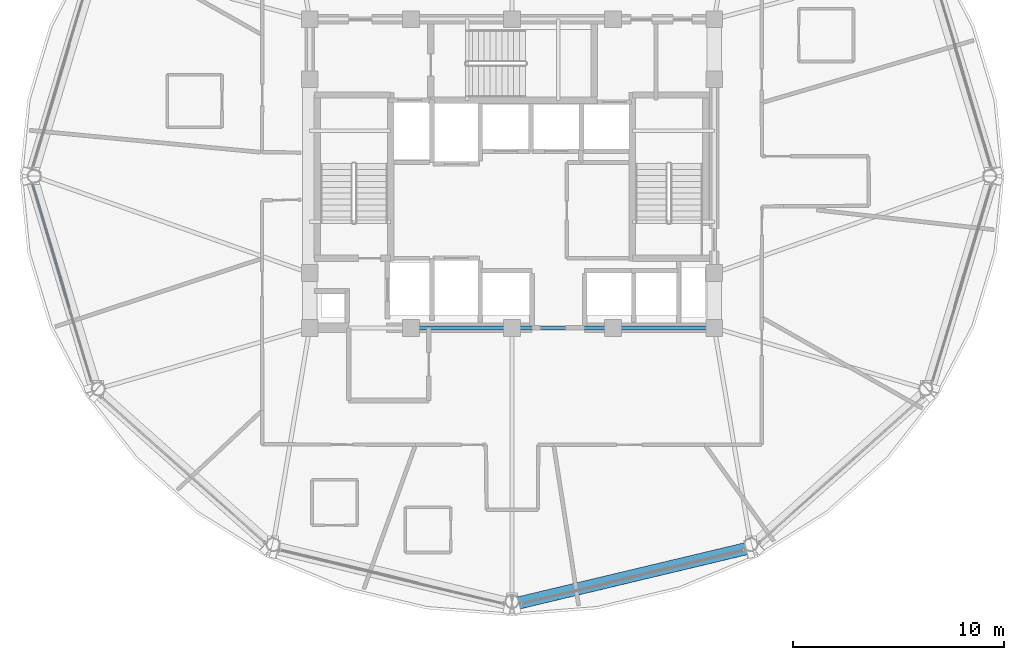
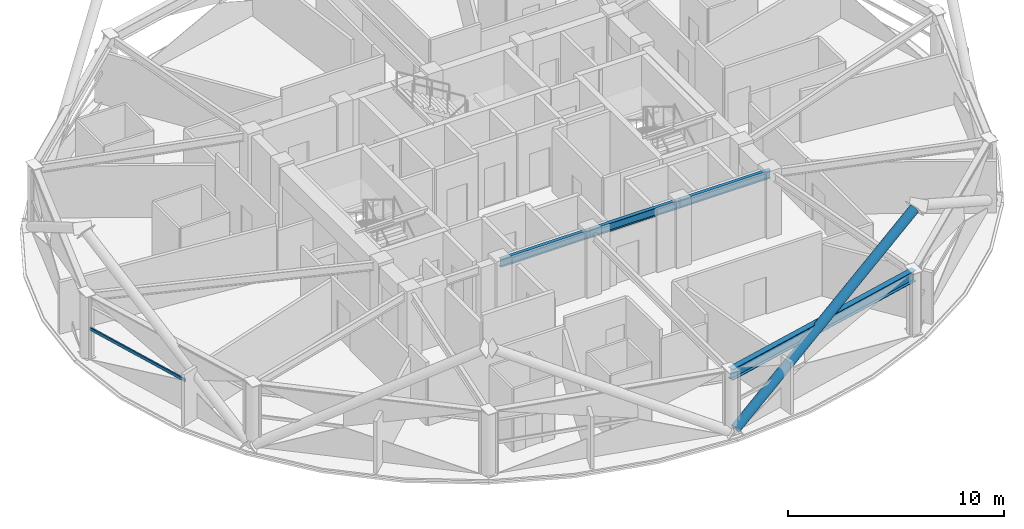
# One storey, part 6 of 30: 4 beams, 2 members, 1 element without a shape of its own.
"""IFC4 building model written with IfcOpenShell, lengths in metres."""

from ifc_helpers import new_model, si_unit, direction, frame, origin, origin_2d, place, context, subcontext, project, spatial, hollow_rectangle, hollow_circle, i_section, extrude, material, layer, layer_set, material_profile, profile_set, type_object, element, aggregate, save


model = new_model("IFC4")

# Units and contexts
model_context = context("Model", 3, precision=1e-05, world=origin(), true_north=direction((0.0, 1.0)))
body_context = subcontext(model_context, "Body", "Model", "MODEL_VIEW")
ifc_project = project(units=[si_unit("LENGTHUNIT", "METRE"), si_unit("AREAUNIT", "SQUARE_METRE"), si_unit("VOLUMEUNIT", "CUBIC_METRE"), si_unit("PLANEANGLEUNIT", "RADIAN"), si_unit("MASSUNIT", "GRAM", prefix="KILO")], contexts=[model_context])

# Site, building, storey
site_placement = place(None, origin())
site = spatial("IfcSite", under=ifc_project, at=site_placement, CompositionType="ELEMENT")
building_placement = place(site_placement, origin())
building = spatial("IfcBuilding", under=site, at=building_placement, Name="Vantalir Tower", CompositionType="ELEMENT")
storey_placement = place(building_placement, frame((0.0, 0.0, 189.89990234375)))
storey = spatial("IfcBuildingStorey", under=building, at=storey_placement, Name="L47", CompositionType="ELEMENT", Elevation=189.89990234375)

# Beams
ifc_material_1 = material(Name="Steel S355", Category="steel")
ifc_material_profile_1 = material_profile(ifc_material_1, i_section(OverallWidth=0.19189453125, OverallDepth=0.462890625, WebThickness=0.010498046875, FlangeThickness=0.017578125, at=origin_2d()), Name="Steel S355")
ifc_profile_set_1 = profile_set([ifc_material_profile_1], Name="Steel S355")
beam_type_1 = type_object("IfcBeamType", Name="BM-RB-457x191", PredefinedType="BEAM", material=ifc_profile_set_1)
for number, where, z_axis, x_axis, name in (
    (1, (26.699951171875, 17.800048828125, 3.338134765625), (1.0, 0.0, 0.0), (0.0, 1.0, 0.0), "L47 Core Coupling Girder 02"),
    (2, (31.5, 17.800048828125, 3.338134765625), (1.0, 0.0, 0.0), (0.0, 1.0, 0.0), "L47 Core Coupling Girder 03"),
    (3, (36.300048828125, 17.800048828125, 3.338134765625), (1.0, 0.0, 0.0), (0.0, 1.0, 0.0), "L47 Core Coupling Girder 04"),
):
    element("IfcBeam", number, at=place(storey_placement, frame(where, z_axis=z_axis, x_axis=x_axis)), inside=storey, type_object=beam_type_1, Name=name, PredefinedType="BEAM", context=body_context, shape_type="SweptSolid", body=[
        extrude(i_section(OverallWidth=0.19189453125, OverallDepth=0.462890625, WebThickness=0.010498046875, FlangeThickness=0.017578125, at=origin_2d()), origin(), (0.0, 0.0, 1.0), 4.800048828125),
    ])
ifc_material_2 = material(Name="Steel S460", Category="steel")
ifc_material_profile_2 = material_profile(ifc_material_2, i_section(OverallWidth=0.306884765625, OverallDepth=0.6201171875, WebThickness=0.01416015625, FlangeThickness=0.023681640625, at=origin_2d()), Name="Steel S460")
ifc_profile_set_2 = profile_set([ifc_material_profile_2], Name="Steel S460")
beam_type_2 = type_object("IfcBeamType", Name="BM-RG-610x305", PredefinedType="USERDEFINED", material=ifc_profile_set_2)
beam_placement = place(storey_placement, frame((31.5, 4.81201171875, 3.260009765625), z_axis=(0.972698236559, 0.232073567206, 0.0), x_axis=(-0.232073567206, 0.972698236559, 0.0)))
element("IfcBeam", 4, at=beam_placement, inside=storey, type_object=beam_type_2, Name="L47 Circumferential Ring Girder 10", ObjectType="GIRDER", PredefinedType="USERDEFINED", context=body_context, shape_type="SweptSolid", body=[
    extrude(i_section(OverallWidth=0.306884765625, OverallDepth=0.6201171875, WebThickness=0.01416015625, FlangeThickness=0.023681640625, at=origin_2d()), origin(), (0.0, 0.0, 1.0), 11.656005859375),
])

# Curtain wall, member
ifc_material_3 = material(Name="Champagne-silver PVDF aluminium and double-silver Low-E glass", Category="aluminium")
ifc_layer = layer(ifc_material_3, 0.2099609375)
ifc_layer_set = layer_set([ifc_layer], Name="Champagne-silver PVDF aluminium and double-silver Low-E glass")
curtain_wall_type = type_object("IfcCurtainWallType", Name="CW-DIAMOND-Z3", PredefinedType="USERDEFINED", material=ifc_layer_set)
curtain_wall_placement = place(storey_placement, origin())
curtain_wall = element("IfcCurtainWall", 5, at=curtain_wall_placement, inside=storey, type_object=curtain_wall_type, Name="L47 Quilted Pyramid-Diamond Curtain Wall S07", ObjectType="UNITISED CURTAIN WALL", PredefinedType="USERDEFINED")
ifc_material_4 = material(Name="Champagne-silver PVDF aluminium 6063-T6", Category="aluminium")
ifc_material_profile_3 = material_profile(ifc_material_4, hollow_rectangle(XDim=0.074951171875, YDim=0.159912109375, WallThickness=0.00390625, at=origin_2d()), Name="Champagne-silver PVDF aluminium 6063-T6")
ifc_profile_set_3 = profile_set([ifc_material_profile_3], Name="Champagne-silver PVDF aluminium 6063-T6")
member_type_1 = type_object("IfcMemberType", Name="CWT-160x75", PredefinedType="USERDEFINED", material=ifc_profile_set_3)
member_1_placement = place(storey_placement, frame((8.751953125, 24.60693359375, 1.78515625), z_axis=(0.284167522647, -0.958774644571, 0.0), x_axis=(0.958774644571, 0.284167522647, 0.0)))
member_1 = element("IfcMember", 6, at=member_1_placement, type_object=member_type_1, Name="CW-L47-S07 Pyramid Fold Ridge Transom", ObjectType="TRANSOM", PredefinedType="USERDEFINED", context=body_context, shape_type="SweptSolid", body=[
    extrude(hollow_rectangle(XDim=0.074951171875, YDim=0.159912109375, WallThickness=0.00390625, at=origin_2d()), origin(), (0.0, 0.0, 1.0), 6.087890625),
])
aggregate(curtain_wall, [member_1])

# Member
ifc_material_profile_4 = material_profile(ifc_material_2, hollow_circle(Radius=0.25, WallThickness=0.031982421875, at=origin_2d()), Name="Steel S460")
ifc_profile_set_4 = profile_set([ifc_material_profile_4], Name="Steel S460")
member_type_2 = type_object("IfcMemberType", Name="MEM-DB-500x32", PredefinedType="BRACE", material=ifc_profile_set_4)
member_2_placement = place(storey_placement, frame((31.68310546875, 4.666015625, 0.194091796875), z_axis=(0.83064800481, 0.198307361748, 0.520286538728), x_axis=(-0.232212267374, 0.972665133991, 0.0)))
element("IfcMember", 7, at=member_2_placement, inside=storey, type_object=member_type_2, Name="L47 Perimeter S460 Diagrid Brace R28L", PredefinedType="BRACE", context=body_context, shape_type="SweptSolid", body=[
    extrude(hollow_circle(Radius=0.25, WallThickness=0.031982421875, at=origin_2d()), origin(), (0.0, 0.0, 1.0), 13.3232421875),
])

save(model, "model.ifc")
